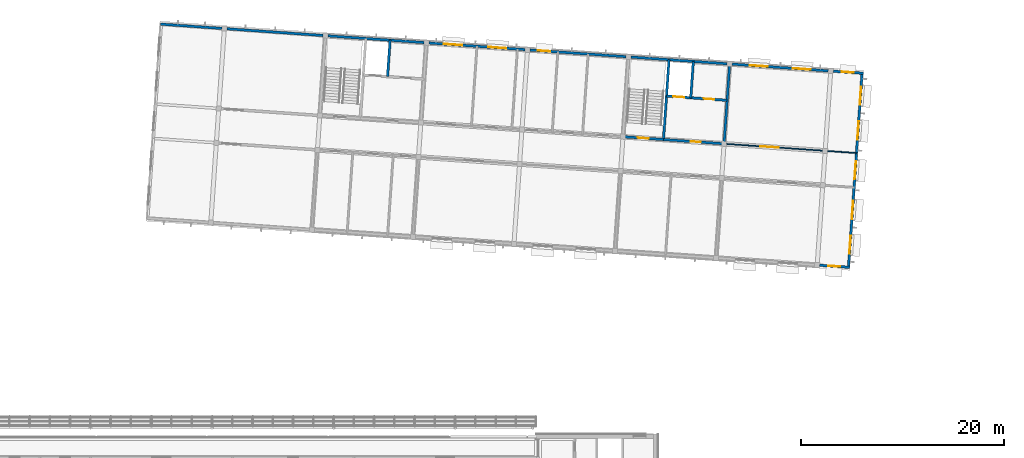
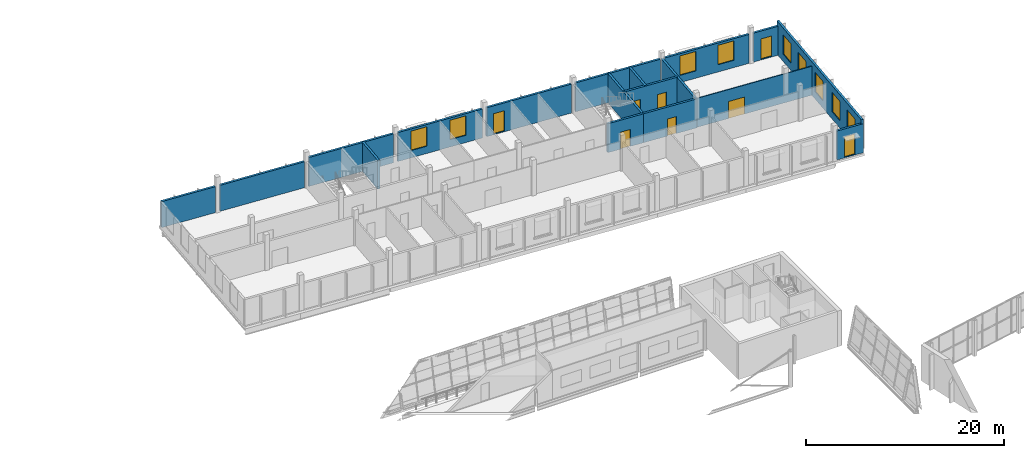
# One storey, part 58 of 95: 18 walls, 12 windows, 5 doors, 17 openings.
"""IFC4 building model written with IfcOpenShell, lengths in metres."""

import ifcopenshell
import ifcopenshell.guid

model = None  # the IFC model being written
_history = None  # IfcOwnerHistory: only IFC2X3 demands one
_inside = {}  # id of a spatial element -> (the spatial element, [elements in it])
_under = {}  # id of a project, library or spatial element -> (it, [spatial elements below it])
_declared = {}  # id of a project -> (the project, [libraries it declares])
_typed = {}  # id of a type object -> (the type object, [elements of that type])
_made_of = {}  # id of a material, layer set ... -> (it, [elements and type objects made of it])


def new_model(schema):
    """Start an empty IFC model of exactly this schema.

    Asked for "IFC4X3", IfcOpenShell would pick the latest addendum, in which some entities
    have other attributes; the version numbers below select the first issue.
    IFC2X3 requires an IfcOwnerHistory on every rooted entity: one is made here for all.
    """
    global model, _history
    if schema == "IFC4X3":
        model = ifcopenshell.file(schema_version=(4, 3, 0, 0))
    else:
        model = ifcopenshell.file(schema=schema)
    _inside.clear()
    _under.clear()
    _declared.clear()
    _typed.clear()
    _made_of.clear()
    _history = None
    if model.schema == "IFC2X3":
        org = make("IfcOrganization", Name="unknown")
        user = make(
            "IfcPersonAndOrganization",
            ThePerson=make("IfcPerson", FamilyName="unknown"),
            TheOrganization=org,
        )
        app = make(
            "IfcApplication",
            ApplicationDeveloper=org,
            Version="unknown",
            ApplicationFullName="unknown",
            ApplicationIdentifier="unknown",
        )
        _history = make(
            "IfcOwnerHistory",
            OwningUser=user,
            OwningApplication=app,
            ChangeAction="ADDED",
            CreationDate=0,
        )
    return model


def make(cls, **values):
    """One entity of the class cls with the attributes given. An attribute that is None is left unset."""
    return model.create_entity(
        cls, **{name: value for name, value in values.items() if value is not None}
    )


def rooted(cls, **values):
    """An entity with a GlobalId (a new one), such as an element, a storey or a relation."""
    return make(cls, GlobalId=ifcopenshell.guid.new(), OwnerHistory=_history, **values)


def si_unit(unit_type, name, prefix=None):
    """IfcSIUnit, for example si_unit("LENGTHUNIT", "METRE", prefix="MILLI")."""
    return make("IfcSIUnit", UnitType=unit_type, Prefix=prefix, Name=name)


def assignment(units):
    """IfcUnitAssignment: the units of a project."""
    return None if units is None else make("IfcUnitAssignment", Units=units)


def point(xyz):
    """IfcCartesianPoint."""
    return None if xyz is None else make("IfcCartesianPoint", Coordinates=xyz)


def direction(xyz):
    """IfcDirection."""
    return None if xyz is None else make("IfcDirection", DirectionRatios=xyz)


def frame(location, z_axis=None, x_axis=None):
    """IfcAxis2Placement3D, a coordinate frame: its origin and axes. An axis left out is left unset."""
    return make(
        "IfcAxis2Placement3D",
        Location=point(location),
        Axis=direction(z_axis),
        RefDirection=direction(x_axis),
    )


def frame_2d(location, x_axis=None):
    """IfcAxis2Placement2D, a coordinate frame in the plane: its origin and x axis."""
    return make(
        "IfcAxis2Placement2D", Location=point(location), RefDirection=direction(x_axis)
    )


def origin():
    """The frame at (0, 0, 0) with its axes left unset."""
    return frame((0.0, 0.0, 0.0))


def place(relative_to, where):
    """IfcLocalPlacement: puts the frame where relative to a parent placement (None: the world)."""
    return make(
        "IfcLocalPlacement", PlacementRelTo=relative_to, RelativePlacement=where
    )


def context(
    kind, dimensions, precision=None, world=None, true_north=None, identifier=None
):
    """IfcGeometricRepresentationContext, for example the 3D "Model" context."""
    return make(
        "IfcGeometricRepresentationContext",
        ContextIdentifier=identifier,
        ContextType=kind,
        CoordinateSpaceDimension=dimensions,
        Precision=precision,
        WorldCoordinateSystem=world,
        TrueNorth=true_north,
    )


def subcontext(parent, identifier, kind, view, scale=None):
    """IfcGeometricRepresentationSubContext, for example "Body" below "Model"."""
    return make(
        "IfcGeometricRepresentationSubContext",
        ContextIdentifier=identifier,
        ContextType=kind,
        ParentContext=parent,
        TargetScale=scale,
        TargetView=view,
    )


def project(units=None, contexts=None):
    """IfcProject with its units and contexts."""
    return rooted(
        "IfcProject",
        Name="project",
        RepresentationContexts=contexts,
        UnitsInContext=assignment(units),
    )


def spatial(cls, under=None, at=None, **own):
    """A site, building, storey or space (cls), placed at a placement, below another one or the project."""
    s = rooted(cls, ObjectPlacement=at, **own)
    if under is not None:
        _under.setdefault(under.id(), (under, []))[1].append(s)
    return s


def profile(cls, at=None, kind="AREA", **sizes):
    """A parametric profile (cls). Its sizes go by their IFC names, for example OverallWidth=200.0."""
    return make(cls, ProfileType=kind, Position=at, **sizes)


def rectangle(**sizes):
    """IfcRectangleProfileDef."""
    return profile("IfcRectangleProfileDef", **sizes)


def extrude(swept, where, along, depth):
    """IfcExtrudedAreaSolid: the profile swept, set in the frame where, extruded along a direction by depth."""
    return make(
        "IfcExtrudedAreaSolid",
        SweptArea=swept,
        Position=where,
        ExtrudedDirection=direction(along),
        Depth=depth,
    )


def shape(context_of_items, identifier, shape_type, items):
    """IfcShapeRepresentation: the items that make up one representation, for example the "Body"."""
    return make(
        "IfcShapeRepresentation",
        ContextOfItems=context_of_items,
        RepresentationIdentifier=identifier,
        RepresentationType=shape_type,
        Items=items,
    )


def material(Name=None, Category=None):
    """IfcMaterial."""
    return make("IfcMaterial", Name=Name, Category=Category)


def layer(
    of_material, thickness, ventilated=None, Name=None, Category=None, Priority=None
):
    """IfcMaterialLayer: one layer of a wall or slab, of a material (None: an air gap)."""
    return make(
        "IfcMaterialLayer",
        Material=of_material,
        LayerThickness=thickness,
        IsVentilated=ventilated,
        Name=Name,
        Category=Category,
        Priority=Priority,
    )


def layer_set(layers, Name=None):
    """IfcMaterialLayerSet."""
    return make("IfcMaterialLayerSet", MaterialLayers=layers, LayerSetName=Name)


def made_of(thing, what):
    """Note that an element or type object is made of a material, layer set ...; save() writes the relation."""
    if what is not None:
        _made_of.setdefault(what.id(), (what, []))[1].append(thing)
    return thing


def type_object(cls, material=None, **own):
    """A type object (cls), such as IfcWallType, which elements share."""
    return made_of(rooted(cls, **own), material)


def element(
    cls,
    number,
    at=None,
    inside=None,
    cuts=None,
    type_object=None,
    material=None,
    context=None,
    identifier="Body",
    shape_type=None,
    held_by="IfcProductDefinitionShape",
    body=None,
    shapes=None,
    **own,
):
    """One element of the class cls, such as IfcWall. Its Tag is "e" and its number.

    at: its placement. inside: the storey or other place that contains it. cuts: it is an
    opening in that element (IfcRelVoidsElement). A single representation is given by context,
    identifier, shape_type and body (its items); several are given by shapes. held_by: the class
    of the entity that holds the representations. save() writes the other relations.
    """
    e = rooted(cls, Tag="e%d" % number, ObjectPlacement=at, **own)
    if body is not None:
        shapes = [shape(context, identifier, shape_type, body)]
    if shapes is not None:
        e.Representation = make(held_by, Representations=shapes)
    if inside is not None:
        _inside.setdefault(inside.id(), (inside, []))[1].append(e)
    if cuts is not None:
        rooted(
            "IfcRelVoidsElement", RelatingBuildingElement=cuts, RelatedOpeningElement=e
        )
    if type_object is not None:
        _typed.setdefault(type_object.id(), (type_object, []))[1].append(e)
    return made_of(e, material)


def fill(opening, filler):
    """IfcRelFillsElement: the door or window that sits in an opening."""
    return rooted(
        "IfcRelFillsElement",
        RelatingOpeningElement=opening,
        RelatedBuildingElement=filler,
    )


def aggregate(whole, parts):
    """IfcRelAggregates: a whole, such as a stair, and the parts it consists of."""
    return rooted("IfcRelAggregates", RelatingObject=whole, RelatedObjects=parts)


def save(model, path):
    """Write the relations noted so far, then the file.

    IfcRelAggregates (storeys below a building ...), IfcRelContainedInSpatialStructure (elements
    in a storey), IfcRelDefinesByType, IfcRelAssociatesMaterial and IfcRelDeclares: one each for
    every whole, place, type object, material and project.
    """
    for whole, parts in _under.values():
        aggregate(whole, parts)
    for where, things in _inside.values():
        rooted(
            "IfcRelContainedInSpatialStructure",
            RelatedElements=things,
            RelatingStructure=where,
        )
    for kind, things in _typed.values():
        rooted("IfcRelDefinesByType", RelatedObjects=things, RelatingType=kind)
    for what, things in _made_of.values():
        rooted("IfcRelAssociatesMaterial", RelatedObjects=things, RelatingMaterial=what)
    for by, libraries in _declared.values():
        rooted("IfcRelDeclares", RelatingContext=by, RelatedDefinitions=libraries)
    model.write(path)


model = new_model("IFC4")

# Units and contexts
model_context = context("Model", 3, precision=1e-05, world=origin(), true_north=direction((0.0, 1.0)))
body_context = subcontext(model_context, "Body", "Model", "MODEL_VIEW")
ifc_project = project(units=[si_unit("LENGTHUNIT", "METRE"), si_unit("AREAUNIT", "SQUARE_METRE"), si_unit("VOLUMEUNIT", "CUBIC_METRE"), si_unit("PLANEANGLEUNIT", "RADIAN"), si_unit("MASSUNIT", "GRAM", prefix="KILO")], contexts=[model_context])

# Site, building, storey
site_placement = place(None, origin())
site = spatial("IfcSite", under=ifc_project, at=site_placement, CompositionType="ELEMENT")
building_placement = place(site_placement, origin())
building = spatial("IfcBuilding", under=site, at=building_placement, Name="Windward Yard Aquatics Centre", CompositionType="ELEMENT")
storey_placement = place(building_placement, frame((0.0, 0.0, 9.39990234375)))
storey = spatial("IfcBuildingStorey", under=building, at=storey_placement, Name="L02", CompositionType="ELEMENT", Elevation=9.39990234375)

# Walls
ifc_material_1 = material(Name="Concrete C40/50", Category="concrete")
ifc_layer_1 = layer(ifc_material_1, 0.25)
ifc_layer_set_1 = layer_set([ifc_layer_1], Name="W RC core wall 250 Concrete C40/50")
wall_type_1 = type_object("IfcWallType", Name="W RC core wall 250 Concrete C40/50", PredefinedType="SOLIDWALL", material=ifc_layer_set_1)
for number, where, z_axis, x_axis, name in (
    (1, (119.427490234375, 135.30322265625, 0.0), (0.0, 0.0, 1.0), (0.997564674448, -0.06974754686, 0.0), "W.FW.L02.N.46.8"),
    (2, (149.3544921875, 133.210693359375, 0.0), (0.0, 0.0, 1.0), (0.997562886035, -0.069773120941, 0.0), "W.FW.L02.N.76.8"),
):
    element("IfcWall", number, at=place(storey_placement, frame(where, z_axis=z_axis, x_axis=x_axis)), inside=storey, type_object=wall_type_1, Name=name, PredefinedType="SOLIDWALL", context=body_context, shape_type="SweptSolid", body=[
        extrude(rectangle(XDim=9.5, YDim=0.25, at=frame_2d((4.75, 0.0))), origin(), (0.0, 0.0, 1.0), 3.570068359375),
    ])
wall_1_placement = place(storey_placement, frame((125.3115234375, 131.283203125, 0.0), z_axis=(0.0, 0.0, 1.0), x_axis=(0.069719119461, 0.997566661623, 0.0)))
element("IfcWall", 3, at=wall_1_placement, inside=storey, type_object=wall_type_1, Name="W.WL.L02.005", PredefinedType="SOLIDWALL", context=body_context, shape_type="SweptSolid", body=[
    extrude(rectangle(XDim=3.599853515625, YDim=0.25, at=frame_2d((1.7998046875, 0.0))), origin(), (0.0, 0.0, 1.0), 3.570068359375),
])
wall_2_placement = place(storey_placement, frame((152.544189453125, 125.068359375, 0.0), z_axis=(0.0, 0.0, 1.0), x_axis=(0.069782074492, 0.997562259751, 0.0)))
element("IfcWall", 4, at=wall_2_placement, inside=storey, type_object=wall_type_1, Name="W.WL.L02.015", PredefinedType="SOLIDWALL", context=body_context, shape_type="SweptSolid", body=[
    extrude(rectangle(XDim=7.89990234375, YDim=0.25, at=frame_2d((3.949951171875, 0.0))), origin(), (0.0, 0.0, 1.0), 3.570068359375),
])
wall_3_placement = place(storey_placement, frame((155.23828125, 129.1904296875, 0.0), z_axis=(0.0, 0.0, 1.0), x_axis=(0.06978660948, 0.997561942506, 0.0)))
element("IfcWall", 5, at=wall_3_placement, inside=storey, type_object=wall_type_1, Name="W.WL.L02.017", PredefinedType="SOLIDWALL", context=body_context, shape_type="SweptSolid", body=[
    extrude(rectangle(XDim=3.599853515625, YDim=0.25, at=frame_2d((1.7998046875, 0.0))), origin(), (0.0, 0.0, 1.0), 3.570068359375),
])
wall_4_placement = place(storey_placement, frame((158.52978515625, 124.649658203125, 0.0), z_axis=(0.0, 0.0, 1.0), x_axis=(0.0697491702, 0.997564560947, 0.0)))
element("IfcWall", 6, at=wall_4_placement, inside=storey, type_object=wall_type_1, Name="W.WL.L02.019", PredefinedType="SOLIDWALL", context=body_context, shape_type="SweptSolid", body=[
    extrude(rectangle(XDim=7.900146484375, YDim=0.25, at=frame_2d((3.9501953125, 0.0))), origin(), (0.0, 0.0, 1.0), 3.570068359375),
])

# Wall, opening, door
wall_5_placement = place(storey_placement, frame((148.553955078125, 125.347412109375, 0.0), z_axis=(0.0, 0.0, 1.0), x_axis=(0.997563556766, -0.069763530677, 0.0)))
wall_5 = element("IfcWall", 7, at=wall_5_placement, inside=storey, type_object=wall_type_1, Name="W.WL.L02.029", PredefinedType="SOLIDWALL", context=body_context, shape_type="SweptSolid", body=[
    extrude(rectangle(XDim=4.0, YDim=0.25, at=frame_2d((2.0, 0.0))), origin(), (0.0, 0.0, 1.0), 3.570068359375),
])
opening_1_placement = place(wall_5_placement, frame((1.449951171875, 0.0, 0.0)))
opening_1 = element("IfcOpeningElement", 8, at=opening_1_placement, cuts=wall_5, Name="Opening W2020", PredefinedType="OPENING", context=body_context, shape_type="SweptSolid", body=[
    extrude(rectangle(XDim=1.10009765625, YDim=2.10009765625, at=frame_2d((0.550048828125, 1.050048828125))), frame((0.0, 0.135009765625, 0.0), z_axis=(0.0, -1.0, 0.0), x_axis=(1.0, 0.0, 0.0)), (0.0, 0.0, 1.0), 0.27001953125),
])
ifc_material_2 = material(Name="Steel fire door leaf", Category="steel")
door_type_1 = type_object("IfcDoorType", Name="W stair door FD60 1100x2100", OperationType="SINGLE_SWING_LEFT", PredefinedType="DOOR", material=ifc_material_2)
door_1_placement = place(opening_1_placement, origin())
door_1 = element("IfcDoor", 9, at=door_1_placement, inside=storey, type_object=door_type_1, Name="W.DRI.L02.020", OperationType="SINGLE_SWING_RIGHT", OverallHeight=2.10009765625, OverallWidth=1.10009765625, PredefinedType="DOOR", context=body_context, shape_type="SweptSolid", body=[
    extrude(rectangle(XDim=1.10009765625, YDim=2.10009765625, at=frame_2d((0.550048828125, 1.050048828125))), frame((0.0, 0.02490234375, 0.0), z_axis=(0.0, -1.0, 0.0), x_axis=(1.0, 0.0, 0.0)), (0.0, 0.0, 1.0), 0.050048828125),
])
fill(opening_1, door_1)

wall_6_placement = place(storey_placement, frame((152.544189453125, 125.068359375, 0.0), z_axis=(0.0, 0.0, 1.0), x_axis=(0.997562338811, -0.069780944286, 0.0)))
wall_6 = element("IfcWall", 10, at=wall_6_placement, inside=storey, type_object=wall_type_1, Name="W.WL.L02.030", PredefinedType="SOLIDWALL", context=body_context, shape_type="SweptSolid", body=[
    extrude(rectangle(XDim=6.000244140625, YDim=0.25, at=frame_2d((3.0, 0.0))), origin(), (0.0, 0.0, 1.0), 3.570068359375),
])
opening_2_placement = place(wall_6_placement, frame((2.699951171875, 0.0, 0.0)))
opening_2 = element("IfcOpeningElement", 11, at=opening_2_placement, cuts=wall_6, Name="Opening W2021", PredefinedType="OPENING", context=body_context, shape_type="SweptSolid", body=[
    extrude(rectangle(XDim=1.0, YDim=2.10009765625, at=frame_2d((0.5, 1.050048828125))), frame((0.0, 0.135009765625, 0.0), z_axis=(0.0, -1.0, 0.0), x_axis=(1.0, 0.0, 0.0)), (0.0, 0.0, 1.0), 0.27001953125),
])
door_type_2 = type_object("IfcDoorType", Name="W fire door FD60 1000x2100", OperationType="SINGLE_SWING_LEFT", PredefinedType="DOOR", material=ifc_material_2)
door_2_placement = place(opening_2_placement, origin())
door_2 = element("IfcDoor", 12, at=door_2_placement, inside=storey, type_object=door_type_2, Name="W.DRI.L02.021", OperationType="SINGLE_SWING_LEFT", OverallHeight=2.10009765625, OverallWidth=1.0, PredefinedType="DOOR", context=body_context, shape_type="SweptSolid", body=[
    extrude(rectangle(XDim=1.0, YDim=2.10009765625, at=frame_2d((0.5, 1.050048828125))), frame((0.0, 0.02490234375, 0.0), z_axis=(0.0, -1.0, 0.0), x_axis=(1.0, 0.0, 0.0)), (0.0, 0.0, 1.0), 0.050048828125),
])
fill(opening_2, door_2)

# Wall, openings, doors
wall_7_placement = place(storey_placement, frame((152.84423828125, 129.35791015625, 0.0), z_axis=(0.0, 0.0, 1.0), x_axis=(0.997562140671, -0.069783776768, 0.0)))
wall_7 = element("IfcWall", 13, at=wall_7_placement, inside=storey, type_object=wall_type_1, Name="W.WL.L02.033", PredefinedType="SOLIDWALL", context=body_context, shape_type="SweptSolid", body=[
    extrude(rectangle(XDim=6.0, YDim=0.25, at=frame_2d((3.0, 0.0))), origin(), (0.0, 0.0, 1.0), 3.570068359375),
])
opening_3_placement = place(wall_7_placement, frame((3.699951171875, 0.0, 0.0)))
opening_3 = element("IfcOpeningElement", 14, at=opening_3_placement, cuts=wall_7, Name="Opening W2022", PredefinedType="OPENING", context=body_context, shape_type="SweptSolid", body=[
    extrude(rectangle(XDim=1.0, YDim=2.10009765625, at=frame_2d((0.5, 1.050048828125))), frame((0.0, 0.135009765625, 0.0), z_axis=(0.0, -1.0, 0.0), x_axis=(1.0, 0.0, 0.0)), (0.0, 0.0, 1.0), 0.27001953125),
])
opening_4_placement = place(wall_7_placement, frame((0.64990234375, 0.0, 0.0)))
opening_4 = element("IfcOpeningElement", 15, at=opening_4_placement, cuts=wall_7, Name="Opening W2023", PredefinedType="OPENING", context=body_context, shape_type="SweptSolid", body=[
    extrude(rectangle(XDim=1.10009765625, YDim=2.10009765625, at=frame_2d((0.550048828125, 1.050048828125))), frame((0.0, 0.135009765625, 0.0), z_axis=(0.0, -1.0, 0.0), x_axis=(1.0, 0.0, 0.0)), (0.0, 0.0, 1.0), 0.27001953125),
])
door_3_placement = place(opening_3_placement, origin())
door_3 = element("IfcDoor", 16, at=door_3_placement, inside=storey, type_object=door_type_2, Name="W.DRI.L02.022", OperationType="SINGLE_SWING_RIGHT", OverallHeight=2.10009765625, OverallWidth=1.0, PredefinedType="DOOR", context=body_context, shape_type="SweptSolid", body=[
    extrude(rectangle(XDim=1.0, YDim=2.10009765625, at=frame_2d((0.5, 1.050048828125))), frame((0.0, 0.02490234375, 0.0), z_axis=(0.0, -1.0, 0.0), x_axis=(1.0, 0.0, 0.0)), (0.0, 0.0, 1.0), 0.050048828125),
])
fill(opening_3, door_3)
ifc_material_3 = material(Name="Stainless steel sliding door leaf", Category="steel")
door_type_3 = type_object("IfcDoorType", Name="W lift landing door 1100x2100", OperationType="SLIDING_TO_LEFT", PredefinedType="DOOR", material=ifc_material_3)
door_4_placement = place(opening_4_placement, origin())
door_4 = element("IfcDoor", 17, at=door_4_placement, inside=storey, type_object=door_type_3, Name="Landing door E L02", OperationType="SLIDING_TO_LEFT", OverallHeight=2.10009765625, OverallWidth=1.10009765625, PredefinedType="DOOR", context=body_context, shape_type="SweptSolid", body=[
    extrude(rectangle(XDim=1.10009765625, YDim=2.10009765625, at=frame_2d((0.550048828125, 1.050048828125))), frame((0.0, 0.02490234375, 0.0), z_axis=(0.0, -1.0, 0.0), x_axis=(1.0, 0.0, 0.0)), (0.0, 0.0, 1.0), 0.050048828125),
])
fill(opening_4, door_4)

# Wall, opening, window
ifc_layer_2 = layer(ifc_material_1, 0.25)
ifc_layer_set_2 = layer_set([ifc_layer_2], Name="W facade wall 250 Precast Concrete C40/50")
wall_type_2 = type_object("IfcWallType", Name="W facade wall 250 Precast Concrete C40/50", PredefinedType="SOLIDWALL", material=ifc_layer_set_2)
wall_8_placement = place(storey_placement, frame((167.966552734375, 112.662353515625, 0.0), z_axis=(0.0, 0.0, 1.0), x_axis=(0.997558109536, -0.069841378134, 0.0)))
wall_8 = element("IfcWall", 18, at=wall_8_placement, inside=storey, type_object=wall_type_2, Name="W.FW.L02.S.96.8", PredefinedType="SOLIDWALL", context=body_context, shape_type="SweptSolid", body=[
    extrude(rectangle(XDim=2.974853515625, YDim=0.25, at=frame_2d((1.4873046875, 0.0))), origin(), (0.0, 0.0, 1.0), 3.570068359375),
])
opening_5_placement = place(wall_8_placement, frame((0.824951171875, 0.0, 0.10009765625)))
opening_5 = element("IfcOpeningElement", 19, at=opening_5_placement, cuts=wall_8, Name="Opening W2507", PredefinedType="OPENING", context=body_context, shape_type="SweptSolid", body=[
    extrude(rectangle(XDim=1.199951171875, YDim=2.5, at=frame_2d((0.60009765625, 1.25))), frame((0.0, 0.135009765625, 0.0), z_axis=(0.0, -1.0, 0.0), x_axis=(1.0, 0.0, 0.0)), (0.0, 0.0, 1.0), 0.27001953125),
])
ifc_material_4 = material(Name="Aluminium framed glazing", Category="aluminium")
window_type_1 = type_object("IfcWindowType", Name="W sidelight 1200x2500", PartitioningType="SINGLE_PANEL", PredefinedType="WINDOW", material=ifc_material_4)
window_1_placement = place(opening_5_placement, origin())
window_1 = element("IfcWindow", 20, at=window_1_placement, inside=storey, type_object=window_type_1, Name="W.WN.L02.W2507", OverallHeight=2.5, OverallWidth=1.199951171875, PartitioningType="SINGLE_PANEL", PredefinedType="WINDOW", context=body_context, shape_type="SweptSolid", body=[
    extrude(rectangle(XDim=1.199951171875, YDim=2.5, at=frame_2d((0.60009765625, 1.25))), frame((0.0, 0.030029296875, 0.0), z_axis=(0.0, -1.0, 0.0), x_axis=(1.0, 0.0, 0.0)), (0.0, 0.0, 1.0), 0.06005859375),
])
fill(opening_5, window_1)

# Walls
wall_9_placement = place(storey_placement, frame((102.91796875, 136.457763671875, 0.0), z_axis=(0.0, 0.0, 1.0), x_axis=(0.997565709001, -0.06973274859, 0.0)))
element("IfcWall", 21, at=wall_9_placement, inside=storey, type_object=wall_type_2, Name="W.FW.L02.N.30.2", PredefinedType="SOLIDWALL", context=body_context, shape_type="SweptSolid", body=[
    extrude(rectangle(XDim=6.0498046875, YDim=0.25, at=frame_2d((3.02490234375, 0.0))), origin(), (0.0, 0.0, 1.0), 3.2060546875),
])
wall_10_placement = place(storey_placement, frame((109.451904296875, 136.0009765625, 0.0), z_axis=(0.0, 0.0, 1.0), x_axis=(0.997562886035, -0.069773120941, 0.0)))
element("IfcWall", 22, at=wall_10_placement, inside=storey, type_object=wall_type_2, Name="W.FW.L02.N.36.8", PredefinedType="SOLIDWALL", context=body_context, shape_type="SweptSolid", body=[
    extrude(rectangle(XDim=9.5, YDim=0.25, at=frame_2d((4.75, 0.0))), origin(), (0.0, 0.0, 1.0), 3.2060546875),
])

# Wall, openings, windows
wall_11_placement = place(storey_placement, frame((129.4033203125, 134.605712890625, 0.0), z_axis=(0.0, 0.0, 1.0), x_axis=(0.997564674448, -0.06974754686, 0.0)))
wall_11 = element("IfcWall", 23, at=wall_11_placement, inside=storey, type_object=wall_type_2, Name="W.FW.L02.N.56.8", PredefinedType="SOLIDWALL", context=body_context, shape_type="SweptSolid", body=[
    extrude(rectangle(XDim=9.5, YDim=0.25, at=frame_2d((4.75, 0.0))), origin(), (0.0, 0.0, 1.0), 3.570068359375),
])
opening_6_placement = place(wall_11_placement, frame((1.47509765625, 0.0, 0.89990234375)))
opening_6 = element("IfcOpeningElement", 24, at=opening_6_placement, cuts=wall_11, Name="Opening W2508", PredefinedType="OPENING", context=body_context, shape_type="SweptSolid", body=[
    extrude(rectangle(XDim=1.800048828125, YDim=2.39990234375, at=frame_2d((0.89990234375, 1.199951171875))), frame((0.0, 0.135009765625, 0.0), z_axis=(0.0, -1.0, 0.0), x_axis=(1.0, 0.0, 0.0)), (0.0, 0.0, 1.0), 0.27001953125),
])
opening_7_placement = place(wall_11_placement, frame((5.85009765625, 0.0, 0.89990234375)))
opening_7 = element("IfcOpeningElement", 25, at=opening_7_placement, cuts=wall_11, Name="Opening W2509", PredefinedType="OPENING", context=body_context, shape_type="SweptSolid", body=[
    extrude(rectangle(XDim=1.800048828125, YDim=2.39990234375, at=frame_2d((0.89990234375, 1.199951171875))), frame((0.0, 0.135009765625, 0.0), z_axis=(0.0, -1.0, 0.0), x_axis=(1.0, 0.0, 0.0)), (0.0, 0.0, 1.0), 0.27001953125),
])
window_type_2 = type_object("IfcWindowType", Name="W window 1800x2400", PartitioningType="SINGLE_PANEL", PredefinedType="WINDOW", material=ifc_material_4)
window_2_placement = place(opening_6_placement, origin())
window_2 = element("IfcWindow", 26, at=window_2_placement, inside=storey, type_object=window_type_2, Name="W.WN.L02.W2508", OverallHeight=2.39990234375, OverallWidth=1.800048828125, PartitioningType="SINGLE_PANEL", PredefinedType="WINDOW", context=body_context, shape_type="SweptSolid", body=[
    extrude(rectangle(XDim=1.800048828125, YDim=2.39990234375, at=frame_2d((0.89990234375, 1.199951171875))), frame((0.0, 0.030029296875, 0.0), z_axis=(0.0, -1.0, 0.0), x_axis=(1.0, 0.0, 0.0)), (0.0, 0.0, 1.0), 0.06005859375),
])
fill(opening_6, window_2)
window_3_placement = place(opening_7_placement, origin())
window_3 = element("IfcWindow", 27, at=window_3_placement, inside=storey, type_object=window_type_2, Name="W.WN.L02.W2509", OverallHeight=2.39990234375, OverallWidth=1.800048828125, PartitioningType="SINGLE_PANEL", PredefinedType="WINDOW", context=body_context, shape_type="SweptSolid", body=[
    extrude(rectangle(XDim=1.800048828125, YDim=2.39990234375, at=frame_2d((0.89990234375, 1.199951171875))), frame((0.0, 0.030029296875, 0.0), z_axis=(0.0, -1.0, 0.0), x_axis=(1.0, 0.0, 0.0)), (0.0, 0.0, 1.0), 0.06005859375),
])
fill(opening_7, window_3)

# Wall, opening, window
wall_12_placement = place(storey_placement, frame((139.37890625, 133.908203125, 0.0), z_axis=(0.0, 0.0, 1.0), x_axis=(0.997564674448, -0.06974754686, 0.0)))
wall_12 = element("IfcWall", 28, at=wall_12_placement, inside=storey, type_object=wall_type_2, Name="W.FW.L02.N.66.8", PredefinedType="SOLIDWALL", context=body_context, shape_type="SweptSolid", body=[
    extrude(rectangle(XDim=9.5, YDim=0.25, at=frame_2d((4.75, 0.0))), origin(), (0.0, 0.0, 1.0), 3.570068359375),
])
opening_8_placement = place(wall_12_placement, frame((0.77490234375, 0.0, 0.10009765625)))
opening_8 = element("IfcOpeningElement", 29, at=opening_8_placement, cuts=wall_12, Name="Opening W2510", PredefinedType="OPENING", context=body_context, shape_type="SweptSolid", body=[
    extrude(rectangle(XDim=1.199951171875, YDim=2.5, at=frame_2d((0.60009765625, 1.25))), frame((0.0, 0.135009765625, 0.0), z_axis=(0.0, -1.0, 0.0), x_axis=(1.0, 0.0, 0.0)), (0.0, 0.0, 1.0), 0.27001953125),
])
window_4_placement = place(opening_8_placement, origin())
window_4 = element("IfcWindow", 30, at=window_4_placement, inside=storey, type_object=window_type_1, Name="W.WN.L02.W2510", OverallHeight=2.5, OverallWidth=1.199951171875, PartitioningType="SINGLE_PANEL", PredefinedType="WINDOW", context=body_context, shape_type="SweptSolid", body=[
    extrude(rectangle(XDim=1.199951171875, YDim=2.5, at=frame_2d((0.60009765625, 1.25))), frame((0.0, 0.030029296875, 0.0), z_axis=(0.0, -1.0, 0.0), x_axis=(1.0, 0.0, 0.0)), (0.0, 0.0, 1.0), 0.06005859375),
])
fill(opening_8, window_4)

# Wall, openings, windows
wall_13_placement = place(storey_placement, frame((159.330078125, 132.51318359375, 0.0), z_axis=(0.0, 0.0, 1.0), x_axis=(0.997562886035, -0.069773120941, 0.0)))
wall_13 = element("IfcWall", 31, at=wall_13_placement, inside=storey, type_object=wall_type_2, Name="W.FW.L02.N.86.8", PredefinedType="SOLIDWALL", context=body_context, shape_type="SweptSolid", body=[
    extrude(rectangle(XDim=9.5, YDim=0.25, at=frame_2d((4.75, 0.0))), origin(), (0.0, 0.0, 1.0), 3.570068359375),
])
opening_9_placement = place(wall_13_placement, frame((1.72509765625, 0.0, 0.89990234375)))
opening_9 = element("IfcOpeningElement", 32, at=opening_9_placement, cuts=wall_13, Name="Opening W2511", PredefinedType="OPENING", context=body_context, shape_type="SweptSolid", body=[
    extrude(rectangle(XDim=1.800048828125, YDim=2.39990234375, at=frame_2d((0.89990234375, 1.199951171875))), frame((0.0, 0.135009765625, 0.0), z_axis=(0.0, -1.0, 0.0), x_axis=(1.0, 0.0, 0.0)), (0.0, 0.0, 1.0), 0.27001953125),
])
opening_10_placement = place(wall_13_placement, frame((5.97509765625, 0.0, 0.89990234375)))
opening_10 = element("IfcOpeningElement", 33, at=opening_10_placement, cuts=wall_13, Name="Opening W2512", PredefinedType="OPENING", context=body_context, shape_type="SweptSolid", body=[
    extrude(rectangle(XDim=1.800048828125, YDim=2.39990234375, at=frame_2d((0.89990234375, 1.199951171875))), frame((0.0, 0.135009765625, 0.0), z_axis=(0.0, -1.0, 0.0), x_axis=(1.0, 0.0, 0.0)), (0.0, 0.0, 1.0), 0.27001953125),
])
window_5_placement = place(opening_9_placement, origin())
window_5 = element("IfcWindow", 34, at=window_5_placement, inside=storey, type_object=window_type_2, Name="W.WN.L02.W2511", OverallHeight=2.39990234375, OverallWidth=1.800048828125, PartitioningType="SINGLE_PANEL", PredefinedType="WINDOW", context=body_context, shape_type="SweptSolid", body=[
    extrude(rectangle(XDim=1.800048828125, YDim=2.39990234375, at=frame_2d((0.89990234375, 1.199951171875))), frame((0.0, 0.030029296875, 0.0), z_axis=(0.0, -1.0, 0.0), x_axis=(1.0, 0.0, 0.0)), (0.0, 0.0, 1.0), 0.06005859375),
])
fill(opening_9, window_5)
window_6_placement = place(opening_10_placement, origin())
window_6 = element("IfcWindow", 35, at=window_6_placement, inside=storey, type_object=window_type_2, Name="W.WN.L02.W2512", OverallHeight=2.39990234375, OverallWidth=1.800048828125, PartitioningType="SINGLE_PANEL", PredefinedType="WINDOW", context=body_context, shape_type="SweptSolid", body=[
    extrude(rectangle(XDim=1.800048828125, YDim=2.39990234375, at=frame_2d((0.89990234375, 1.199951171875))), frame((0.0, 0.030029296875, 0.0), z_axis=(0.0, -1.0, 0.0), x_axis=(1.0, 0.0, 0.0)), (0.0, 0.0, 1.0), 0.06005859375),
])
fill(opening_10, window_6)

# Wall, opening, window
wall_14_placement = place(storey_placement, frame((169.305908203125, 131.8154296875, 0.0), z_axis=(0.0, 0.0, 1.0), x_axis=(0.997563824095, -0.069759707979, 0.0)))
wall_14 = element("IfcWall", 36, at=wall_14_placement, inside=storey, type_object=wall_type_2, Name="W.FW.L02.N.96.8", PredefinedType="SOLIDWALL", context=body_context, shape_type="SweptSolid", body=[
    extrude(rectangle(XDim=2.974853515625, YDim=0.25, at=frame_2d((1.4873046875, 0.0))), origin(), (0.0, 0.0, 1.0), 3.570068359375),
])
opening_11_placement = place(wall_14_placement, frame((0.824951171875, 0.0, 0.10009765625)))
opening_11 = element("IfcOpeningElement", 37, at=opening_11_placement, cuts=wall_14, Name="Opening W2513", PredefinedType="OPENING", context=body_context, shape_type="SweptSolid", body=[
    extrude(rectangle(XDim=1.199951171875, YDim=2.5, at=frame_2d((0.60009765625, 1.25))), frame((0.0, 0.135009765625, 0.0), z_axis=(0.0, -1.0, 0.0), x_axis=(1.0, 0.0, 0.0)), (0.0, 0.0, 1.0), 0.27001953125),
])
window_7_placement = place(opening_11_placement, origin())
window_7 = element("IfcWindow", 38, at=window_7_placement, inside=storey, type_object=window_type_1, Name="W.WN.L02.W2513", OverallHeight=2.5, OverallWidth=1.199951171875, PartitioningType="SINGLE_PANEL", PredefinedType="WINDOW", context=body_context, shape_type="SweptSolid", body=[
    extrude(rectangle(XDim=1.199951171875, YDim=2.5, at=frame_2d((0.60009765625, 1.25))), frame((0.0, 0.030029296875, 0.0), z_axis=(0.0, -1.0, 0.0), x_axis=(1.0, 0.0, 0.0)), (0.0, 0.0, 1.0), 0.06005859375),
])
fill(opening_11, window_7)

# Wall, openings, windows
wall_15_placement = place(storey_placement, frame((170.80078125, 112.3388671875, 0.0), z_axis=(0.0, 0.0, 1.0), x_axis=(0.069765298421, 0.997563433139, 0.0)))
wall_15 = element("IfcWall", 39, at=wall_15_placement, inside=storey, type_object=wall_type_2, Name="W.FW.L02.E.0.3", PredefinedType="SOLIDWALL", context=body_context, shape_type="SweptSolid", body=[
    extrude(rectangle(XDim=19.449951171875, YDim=0.25, at=frame_2d((9.72509765625, 0.0))), origin(), (0.0, 0.0, 1.0), 4.1201171875),
])
opening_12_placement = place(wall_15_placement, frame((1.449951171875, 0.0, 0.89990234375)))
opening_12 = element("IfcOpeningElement", 40, at=opening_12_placement, cuts=wall_15, Name="Opening W2519", PredefinedType="OPENING", context=body_context, shape_type="SweptSolid", body=[
    extrude(rectangle(XDim=1.800048828125, YDim=2.39990234375, at=frame_2d((0.89990234375, 1.199951171875))), frame((0.0, 0.135009765625, 0.0), z_axis=(0.0, -1.0, 0.0), x_axis=(1.0, 0.0, 0.0)), (0.0, 0.0, 1.0), 0.27001953125),
])
opening_13_placement = place(wall_15_placement, frame((4.89990234375, 0.0, 0.89990234375)))
opening_13 = element("IfcOpeningElement", 41, at=opening_13_placement, cuts=wall_15, Name="Opening W2520", PredefinedType="OPENING", context=body_context, shape_type="SweptSolid", body=[
    extrude(rectangle(XDim=1.800048828125, YDim=2.39990234375, at=frame_2d((0.89990234375, 1.199951171875))), frame((0.0, 0.135009765625, 0.0), z_axis=(0.0, -1.0, 0.0), x_axis=(1.0, 0.0, 0.0)), (0.0, 0.0, 1.0), 0.27001953125),
])
opening_14_placement = place(wall_15_placement, frame((8.824951171875, 0.0, 0.89990234375)))
opening_14 = element("IfcOpeningElement", 42, at=opening_14_placement, cuts=wall_15, Name="Opening W2521", PredefinedType="OPENING", context=body_context, shape_type="SweptSolid", body=[
    extrude(rectangle(XDim=1.800048828125, YDim=2.39990234375, at=frame_2d((0.89990234375, 1.199951171875))), frame((0.0, 0.135009765625, 0.0), z_axis=(0.0, -1.0, 0.0), x_axis=(1.0, 0.0, 0.0)), (0.0, 0.0, 1.0), 0.27001953125),
])
opening_15_placement = place(wall_15_placement, frame((12.75, 0.0, 0.89990234375)))
opening_15 = element("IfcOpeningElement", 43, at=opening_15_placement, cuts=wall_15, Name="Opening W2522", PredefinedType="OPENING", context=body_context, shape_type="SweptSolid", body=[
    extrude(rectangle(XDim=1.800048828125, YDim=2.39990234375, at=frame_2d((0.89990234375, 1.199951171875))), frame((0.0, 0.135009765625, 0.0), z_axis=(0.0, -1.0, 0.0), x_axis=(1.0, 0.0, 0.0)), (0.0, 0.0, 1.0), 0.27001953125),
])
opening_16_placement = place(wall_15_placement, frame((16.199951171875, 0.0, 0.89990234375)))
opening_16 = element("IfcOpeningElement", 44, at=opening_16_placement, cuts=wall_15, Name="Opening W2523", PredefinedType="OPENING", context=body_context, shape_type="SweptSolid", body=[
    extrude(rectangle(XDim=1.800048828125, YDim=2.39990234375, at=frame_2d((0.89990234375, 1.199951171875))), frame((0.0, 0.135009765625, 0.0), z_axis=(0.0, -1.0, 0.0), x_axis=(1.0, 0.0, 0.0)), (0.0, 0.0, 1.0), 0.27001953125),
])
window_8_placement = place(opening_12_placement, origin())
window_8 = element("IfcWindow", 45, at=window_8_placement, inside=storey, type_object=window_type_2, Name="W.WN.L02.W2519", OverallHeight=2.39990234375, OverallWidth=1.800048828125, PartitioningType="SINGLE_PANEL", PredefinedType="WINDOW", context=body_context, shape_type="SweptSolid", body=[
    extrude(rectangle(XDim=1.800048828125, YDim=2.39990234375, at=frame_2d((0.89990234375, 1.199951171875))), frame((0.0, 0.030029296875, 0.0), z_axis=(0.0, -1.0, 0.0), x_axis=(1.0, 0.0, 0.0)), (0.0, 0.0, 1.0), 0.06005859375),
])
fill(opening_12, window_8)
window_9_placement = place(opening_13_placement, origin())
window_9 = element("IfcWindow", 46, at=window_9_placement, inside=storey, type_object=window_type_2, Name="W.WN.L02.W2520", OverallHeight=2.39990234375, OverallWidth=1.800048828125, PartitioningType="SINGLE_PANEL", PredefinedType="WINDOW", context=body_context, shape_type="SweptSolid", body=[
    extrude(rectangle(XDim=1.800048828125, YDim=2.39990234375, at=frame_2d((0.89990234375, 1.199951171875))), frame((0.0, 0.030029296875, 0.0), z_axis=(0.0, -1.0, 0.0), x_axis=(1.0, 0.0, 0.0)), (0.0, 0.0, 1.0), 0.06005859375),
])
fill(opening_13, window_9)
window_10_placement = place(opening_14_placement, origin())
window_10 = element("IfcWindow", 47, at=window_10_placement, inside=storey, type_object=window_type_2, Name="W.WN.L02.W2521", OverallHeight=2.39990234375, OverallWidth=1.800048828125, PartitioningType="SINGLE_PANEL", PredefinedType="WINDOW", context=body_context, shape_type="SweptSolid", body=[
    extrude(rectangle(XDim=1.800048828125, YDim=2.39990234375, at=frame_2d((0.89990234375, 1.199951171875))), frame((0.0, 0.030029296875, 0.0), z_axis=(0.0, -1.0, 0.0), x_axis=(1.0, 0.0, 0.0)), (0.0, 0.0, 1.0), 0.06005859375),
])
fill(opening_14, window_10)
window_11_placement = place(opening_15_placement, origin())
window_11 = element("IfcWindow", 48, at=window_11_placement, inside=storey, type_object=window_type_2, Name="W.WN.L02.W2522", OverallHeight=2.39990234375, OverallWidth=1.800048828125, PartitioningType="SINGLE_PANEL", PredefinedType="WINDOW", context=body_context, shape_type="SweptSolid", body=[
    extrude(rectangle(XDim=1.800048828125, YDim=2.39990234375, at=frame_2d((0.89990234375, 1.199951171875))), frame((0.0, 0.030029296875, 0.0), z_axis=(0.0, -1.0, 0.0), x_axis=(1.0, 0.0, 0.0)), (0.0, 0.0, 1.0), 0.06005859375),
])
fill(opening_15, window_11)
window_12_placement = place(opening_16_placement, origin())
window_12 = element("IfcWindow", 49, at=window_12_placement, inside=storey, type_object=window_type_2, Name="W.WN.L02.W2523", OverallHeight=2.39990234375, OverallWidth=1.800048828125, PartitioningType="SINGLE_PANEL", PredefinedType="WINDOW", context=body_context, shape_type="SweptSolid", body=[
    extrude(rectangle(XDim=1.800048828125, YDim=2.39990234375, at=frame_2d((0.89990234375, 1.199951171875))), frame((0.0, 0.030029296875, 0.0), z_axis=(0.0, -1.0, 0.0), x_axis=(1.0, 0.0, 0.0)), (0.0, 0.0, 1.0), 0.06005859375),
])
fill(opening_16, window_12)

# Wall, opening, door
ifc_material_5 = material(Name="Plasterboard on steel stud partition", Category="steel")
ifc_layer_3 = layer(ifc_material_5, 0.10009765625)
ifc_layer_set_3 = layer_set([ifc_layer_3], Name="W partition 100")
wall_type_3 = type_object("IfcWallType", Name="W partition 100", PredefinedType="PARTITIONING", material=ifc_layer_set_3)
wall_16_placement = place(storey_placement, frame((158.52978515625, 124.649658203125, 0.0), z_axis=(0.0, 0.0, 1.0), x_axis=(0.997564014548, -0.069756984446, 0.0)))
wall_16 = element("IfcWall", 50, at=wall_16_placement, inside=storey, type_object=wall_type_3, Name="W.WL.L02.031", PredefinedType="PARTITIONING", context=body_context, shape_type="SweptSolid", body=[
    extrude(rectangle(XDim=13.10009765625, YDim=0.10009765625, at=frame_2d((6.550048828125, 0.0))), origin(), (0.0, 0.0, 1.0), 3.570068359375),
])
opening_17_placement = place(wall_16_placement, frame((3.60009765625, 0.0, 0.0)))
opening_17 = element("IfcOpeningElement", 51, at=opening_17_placement, cuts=wall_16, Name="Opening W2014", PredefinedType="OPENING", context=body_context, shape_type="SweptSolid", body=[
    extrude(rectangle(XDim=1.800048828125, YDim=2.10009765625, at=frame_2d((0.89990234375, 1.050048828125))), frame((0.0, 0.06005859375, 0.0), z_axis=(0.0, -1.0, 0.0), x_axis=(1.0, 0.0, 0.0)), (0.0, 0.0, 1.0), 0.1201171875),
])
ifc_material_6 = material(Name="Timber door leaf", Category="wood")
door_type_4 = type_object("IfcDoorType", Name="W double door 1800x2100", OperationType="DOUBLE_DOOR_SINGLE_SWING", PredefinedType="DOOR", material=ifc_material_6)
door_5_placement = place(opening_17_placement, origin())
door_5 = element("IfcDoor", 52, at=door_5_placement, inside=storey, type_object=door_type_4, Name="W.DRI.L02.014", OperationType="DOUBLE_DOOR_SINGLE_SWING", OverallHeight=2.10009765625, OverallWidth=1.800048828125, PredefinedType="DOOR", context=body_context, shape_type="SweptSolid", body=[
    extrude(rectangle(XDim=1.800048828125, YDim=2.10009765625, at=frame_2d((0.89990234375, 1.050048828125))), frame((0.0, 0.02490234375, 0.0), z_axis=(0.0, -1.0, 0.0), x_axis=(1.0, 0.0, 0.0)), (0.0, 0.0, 1.0), 0.050048828125),
])
fill(opening_17, door_5)

save(model, "model.ifc")
